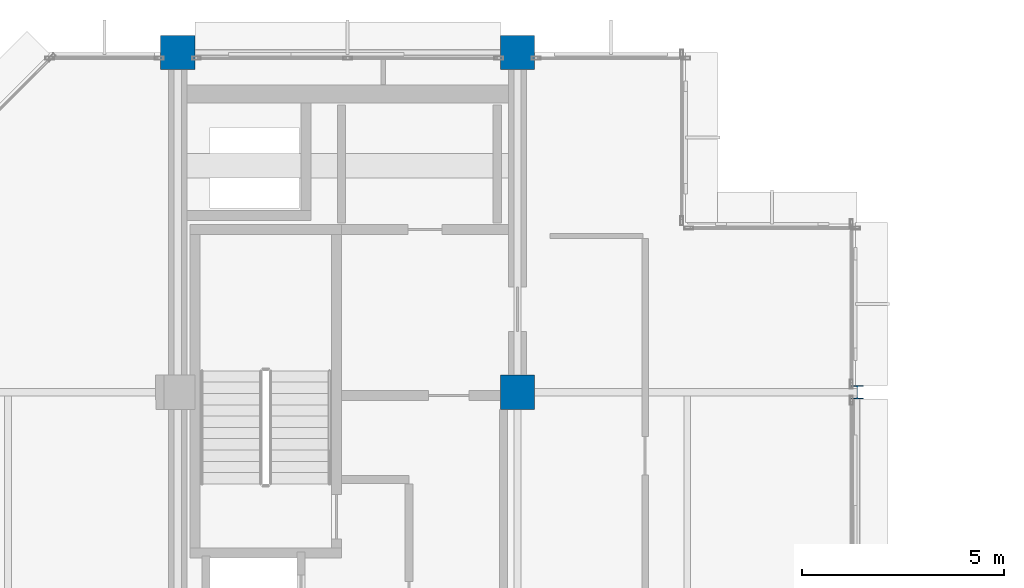
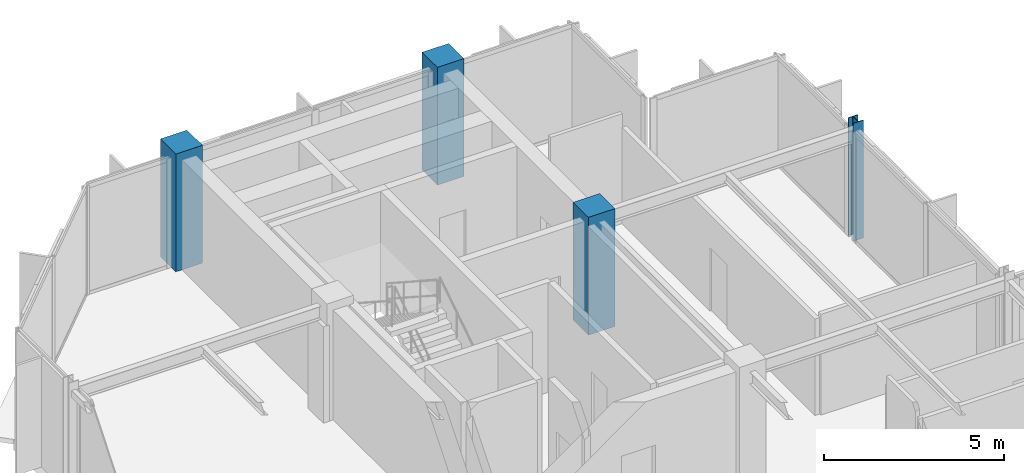
# One storey, part 2 of 23: 4 columns.
"""IFC4 building model written with IfcOpenShell, lengths in metres."""

from ifc_helpers import new_model, si_unit, direction, frame, origin, origin_2d, place, context, subcontext, project, spatial, rectangle, i_section, extrude, material, material_profile, profile_set, type_object, element, save


model = new_model("IFC4")

# Units and contexts
model_context = context("Model", 3, precision=1e-05, world=origin(), true_north=direction((0.0, 1.0)))
body_context = subcontext(model_context, "Body", "Model", "MODEL_VIEW")
ifc_project = project(units=[si_unit("LENGTHUNIT", "METRE"), si_unit("AREAUNIT", "SQUARE_METRE"), si_unit("VOLUMEUNIT", "CUBIC_METRE"), si_unit("PLANEANGLEUNIT", "RADIAN"), si_unit("MASSUNIT", "GRAM", prefix="KILO")], contexts=[model_context])

# Site, building, storey
site_placement = place(None, origin())
site = spatial("IfcSite", under=ifc_project, at=site_placement, CompositionType="ELEMENT")
building_placement = place(site_placement, origin())
building = spatial("IfcBuilding", under=site, at=building_placement, Name="Nerrivon Quay Data Exchange", CompositionType="ELEMENT")
storey_placement = place(building_placement, frame((0.0, 0.0, 286.199951171875)))
storey = spatial("IfcBuildingStorey", under=building, at=storey_placement, Name="L68", CompositionType="ELEMENT", Elevation=286.199951171875)

# Columns
ifc_material_1 = material(Name="Concrete N50 (50 MPa)", Category="concrete")
ifc_material_profile_1 = material_profile(ifc_material_1, rectangle(XDim=0.85009765625, YDim=0.85009765625, at=origin_2d()), Name="RC-COL-850x850")
ifc_profile_set_1 = profile_set([ifc_material_profile_1], Name="Concrete N50 (50 MPa)")
column_type_1 = type_object("IfcColumnType", Name="COL-C5-850", PredefinedType="COLUMN", material=ifc_profile_set_1)
for number, where, z_axis, x_axis, name in (
    (1, (8.39990234375, 42.0, 0.0), (0.0, 0.0, 1.0), (1.0, 0.0, 0.0), "L68 Column (8.4,42.0)"),
    (2, (16.800048828125, 33.60009765625, 0.0), (0.0, 0.0, 1.0), (1.0, 0.0, 0.0), "L68 Column (16.8,33.6)"),
    (3, (16.800048828125, 42.0, 0.0), (0.0, 0.0, 1.0), (1.0, 0.0, 0.0), "L68 Column (16.8,42.0)"),
):
    element("IfcColumn", number, at=place(storey_placement, frame(where, z_axis=z_axis, x_axis=x_axis)), inside=storey, type_object=column_type_1, Name=name, PredefinedType="COLUMN", context=body_context, shape_type="SweptSolid", body=[
        extrude(rectangle(XDim=0.85009765625, YDim=0.85009765625, at=origin_2d()), origin(), (0.0, 0.0, 1.0), 4.0),
    ])
ifc_material_2 = material(Name="Steel Grade 350", Category="steel")
ifc_material_profile_2 = material_profile(ifc_material_2, i_section(OverallWidth=0.31103515625, OverallDepth=0.326904296875, WebThickness=0.015625, FlangeThickness=0.02490234375, FilletRadius=0.0166015625, at=origin_2d()), Name="310UC158")
ifc_profile_set_2 = profile_set([ifc_material_profile_2], Name="Steel Grade 350")
column_type_2 = type_object("IfcColumnType", Name="COL-SC4-310UC158", PredefinedType="COLUMN", material=ifc_profile_set_2)
column_placement = place(storey_placement, frame((25.199951171875, 33.60009765625, 0.0), z_axis=(0.0, 0.0, 1.0), x_axis=(1.0, 0.0, 0.0)))
element("IfcColumn", 4, at=column_placement, inside=storey, type_object=column_type_2, Name="L68 Column (25.2,33.6)", PredefinedType="COLUMN", context=body_context, shape_type="SweptSolid", body=[
    extrude(i_section(OverallWidth=0.31103515625, OverallDepth=0.326904296875, WebThickness=0.015625, FlangeThickness=0.02490234375, FilletRadius=0.0166015625, at=origin_2d()), origin(), (0.0, 0.0, 1.0), 4.0),
])

save(model, "model.ifc")
